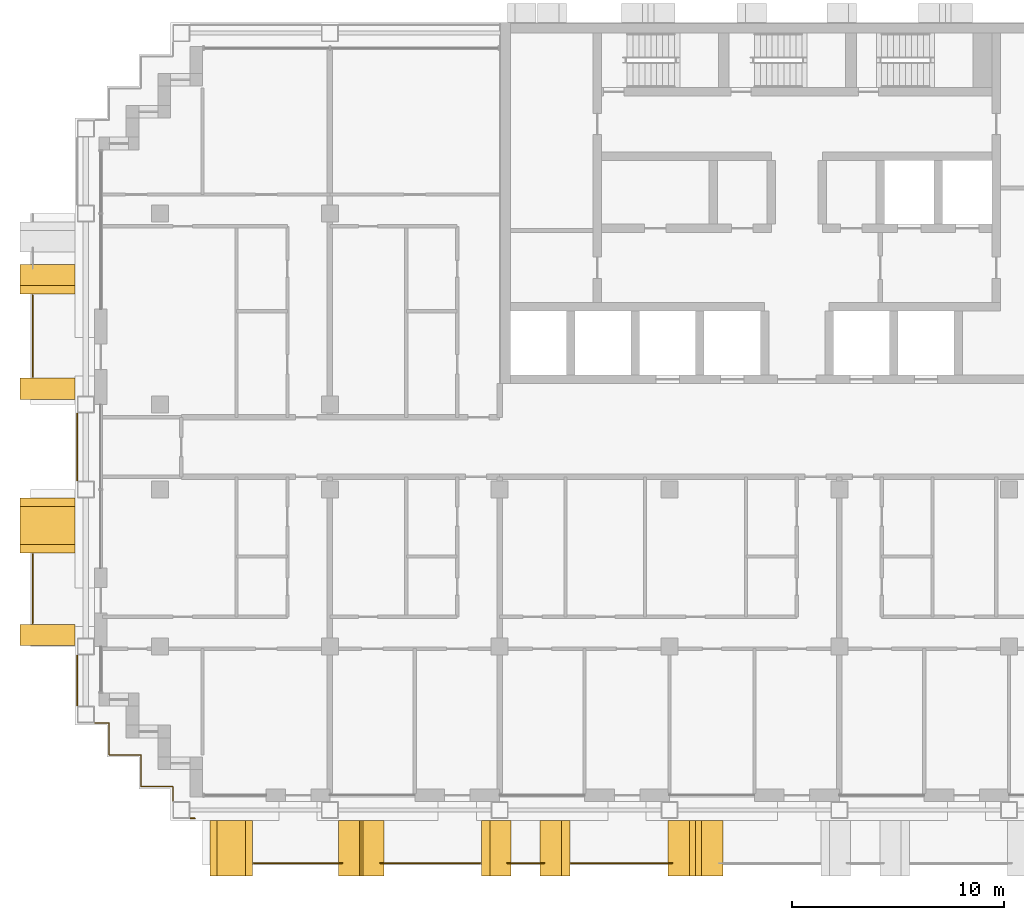
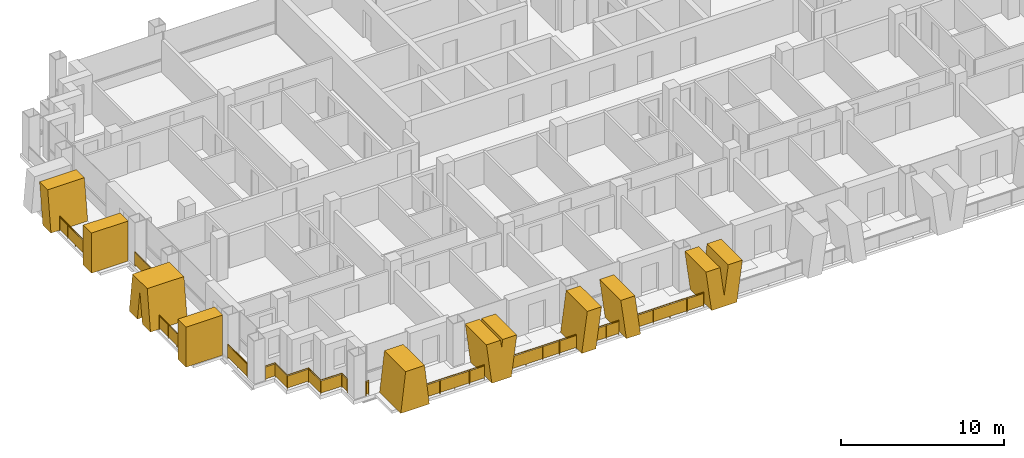
# One storey, part 14 of 18: 10 railings, 9 shading devices.
"""IFC4 building model written with IfcOpenShell, lengths in metres."""

from ifc_helpers import new_model, si_unit, direction, frame, origin, origin_2d, place, context, subcontext, project, spatial, polyline, rectangle, circle, outline, extrude, material, layer, layer_set, type_object, element, save


model = new_model("IFC4")

# Units and contexts
model_context = context("Model", 3, precision=1e-05, world=origin(), true_north=direction((0.0, 1.0)))
body_context = subcontext(model_context, "Body", "Model", "MODEL_VIEW")
ifc_project = project(units=[si_unit("LENGTHUNIT", "METRE"), si_unit("AREAUNIT", "SQUARE_METRE"), si_unit("VOLUMEUNIT", "CUBIC_METRE"), si_unit("PLANEANGLEUNIT", "RADIAN"), si_unit("MASSUNIT", "GRAM", prefix="KILO")], contexts=[model_context])

# Site, building, storey
site_placement = place(None, origin())
site = spatial("IfcSite", under=ifc_project, at=site_placement, CompositionType="ELEMENT")
building_placement = place(site_placement, origin())
building = spatial("IfcBuilding", under=site, at=building_placement, Name="Vidyagriha Tower", CompositionType="ELEMENT")
storey_placement = place(building_placement, frame((0.0, 0.0, 123.0)))
storey = spatial("IfcBuildingStorey", under=building, at=storey_placement, Name="L31", CompositionType="ELEMENT", Elevation=123.0)

# Railings
ifc_material_1 = material(Name="Steel ASTM A500 Grade C black painted", Category="steel")
railing_type_1 = type_object("IfcRailingType", Name="Balcony guard 1100", PredefinedType="BALUSTRADE", material=ifc_material_1)
railing_1_placement = place(storey_placement, frame((-36.0, 7.14990234375, 0.0)))
element("IfcRailing", 1, at=railing_1_placement, inside=storey, type_object=railing_type_1, Name="Balcony guard L31 R16.1-3", PredefinedType="BALUSTRADE", context=body_context, shape_type="SweptSolid", body=[
    extrude(circle(Radius=0.02490234375, at=origin_2d()), frame((0.0, 0.0, 1.0751953125), z_axis=(0.0, -1.0, 0.0), x_axis=(1.0, 0.0, 0.0)), (0.0, 0.0, 1.0), 3.849853515625),
    extrude(circle(Radius=0.02001953125, at=origin_2d()), origin(), (0.0, 0.0, 1.0), 1.050048828125),
    extrude(circle(Radius=0.02001953125, at=origin_2d()), frame((0.0, -0.96240234375, 0.0)), (0.0, 0.0, 1.0), 1.050048828125),
    extrude(circle(Radius=0.02001953125, at=origin_2d()), frame((0.0, -1.9248046875, 0.0)), (0.0, 0.0, 1.0), 1.050048828125),
    extrude(circle(Radius=0.02001953125, at=origin_2d()), frame((0.0, -2.887451171875, 0.0)), (0.0, 0.0, 1.0), 1.050048828125),
    extrude(circle(Radius=0.02001953125, at=origin_2d()), frame((0.0, -3.849853515625, 0.0)), (0.0, 0.0, 1.0), 1.050048828125),
    extrude(rectangle(XDim=0.010009765625, YDim=0.900146484375, at=origin_2d()), frame((0.0, 0.0, 0.550048828125), z_axis=(0.0, -1.0, 0.0), x_axis=(1.0, 0.0, 0.0)), (0.0, 0.0, 1.0), 3.849853515625),
])
railing_2_placement = place(storey_placement, frame((-36.0, -5.050048828125, 0.0)))
element("IfcRailing", 2, at=railing_2_placement, inside=storey, type_object=railing_type_1, Name="Balcony guard L31 R16.2-1", PredefinedType="BALUSTRADE", context=body_context, shape_type="SweptSolid", body=[
    extrude(circle(Radius=0.02490234375, at=origin_2d()), frame((0.0, 0.0, 1.0751953125), z_axis=(0.0, -1.0, 0.0), x_axis=(1.0, 0.0, 0.0)), (0.0, 0.0, 1.0), 3.25),
    extrude(circle(Radius=0.02001953125, at=origin_2d()), origin(), (0.0, 0.0, 1.0), 1.050048828125),
    extrude(circle(Radius=0.02001953125, at=origin_2d()), frame((0.0, -1.083251953125, 0.0)), (0.0, 0.0, 1.0), 1.050048828125),
    extrude(circle(Radius=0.02001953125, at=origin_2d()), frame((0.0, -2.166748046875, 0.0)), (0.0, 0.0, 1.0), 1.050048828125),
    extrude(circle(Radius=0.02001953125, at=origin_2d()), frame((0.0, -3.25, 0.0)), (0.0, 0.0, 1.0), 1.050048828125),
    extrude(rectangle(XDim=0.010009765625, YDim=0.900146484375, at=origin_2d()), frame((0.0, 0.0, 0.550048828125), z_axis=(0.0, -1.0, 0.0), x_axis=(1.0, 0.0, 0.0)), (0.0, 0.0, 1.0), 3.25),
])
railing_3_placement = place(storey_placement, frame((-25.590087890625, -19.60009765625, 0.0)))
element("IfcRailing", 3, at=railing_3_placement, inside=storey, type_object=railing_type_1, Name="Balcony guard L31 R23.1-1", PredefinedType="BALUSTRADE", context=body_context, shape_type="SweptSolid", body=[
    extrude(circle(Radius=0.02490234375, at=origin_2d()), frame((0.0, 0.0, 1.0751953125), z_axis=(1.0, 0.0, 0.0), x_axis=(0.0, 1.0, 0.0)), (0.0, 0.0, 1.0), 4.176513671875),
    extrude(circle(Radius=0.02001953125, at=origin_2d()), origin(), (0.0, 0.0, 1.0), 1.050048828125),
    extrude(circle(Radius=0.02001953125, at=origin_2d()), frame((1.044189453125, 0.0, 0.0)), (0.0, 0.0, 1.0), 1.050048828125),
    extrude(circle(Radius=0.02001953125, at=origin_2d()), frame((2.08837890625, 0.0, 0.0)), (0.0, 0.0, 1.0), 1.050048828125),
    extrude(circle(Radius=0.02001953125, at=origin_2d()), frame((3.13232421875, 0.0, 0.0)), (0.0, 0.0, 1.0), 1.050048828125),
    extrude(circle(Radius=0.02001953125, at=origin_2d()), frame((4.176513671875, 0.0, 0.0)), (0.0, 0.0, 1.0), 1.050048828125),
    extrude(rectangle(XDim=0.010009765625, YDim=0.900146484375, at=origin_2d()), frame((0.0, 0.0, 0.550048828125), z_axis=(1.0, 0.0, 0.0), x_axis=(0.0, 1.0, 0.0)), (0.0, 0.0, 1.0), 4.176513671875),
])
railing_4_placement = place(storey_placement, frame((-19.636474609375, -19.60009765625, 0.0)))
element("IfcRailing", 4, at=railing_4_placement, inside=storey, type_object=railing_type_1, Name="Balcony guard L31 R23.1-2", PredefinedType="BALUSTRADE", context=body_context, shape_type="SweptSolid", body=[
    extrude(circle(Radius=0.02490234375, at=origin_2d()), frame((0.0, 0.0, 1.0751953125), z_axis=(1.0, 0.0, 0.0), x_axis=(0.0, 1.0, 0.0)), (0.0, 0.0, 1.0), 4.7314453125),
    extrude(circle(Radius=0.02001953125, at=origin_2d()), origin(), (0.0, 0.0, 1.0), 1.050048828125),
    extrude(circle(Radius=0.02001953125, at=origin_2d()), frame((1.182861328125, 0.0, 0.0)), (0.0, 0.0, 1.0), 1.050048828125),
    extrude(circle(Radius=0.02001953125, at=origin_2d()), frame((2.36572265625, 0.0, 0.0)), (0.0, 0.0, 1.0), 1.050048828125),
    extrude(circle(Radius=0.02001953125, at=origin_2d()), frame((3.548583984375, 0.0, 0.0)), (0.0, 0.0, 1.0), 1.050048828125),
    extrude(circle(Radius=0.02001953125, at=origin_2d()), frame((4.7314453125, 0.0, 0.0)), (0.0, 0.0, 1.0), 1.050048828125),
    extrude(rectangle(XDim=0.010009765625, YDim=0.900146484375, at=origin_2d()), frame((0.0, 0.0, 0.550048828125), z_axis=(1.0, 0.0, 0.0), x_axis=(0.0, 1.0, 0.0)), (0.0, 0.0, 1.0), 4.7314453125),
])
railing_5_placement = place(storey_placement, frame((-13.653564453125, -19.60009765625, 0.0)))
element("IfcRailing", 5, at=railing_5_placement, inside=storey, type_object=railing_type_1, Name="Balcony guard L31 R23.1-3", PredefinedType="BALUSTRADE", context=body_context, shape_type="SweptSolid", body=[
    extrude(circle(Radius=0.02490234375, at=origin_2d()), frame((0.0, 0.0, 1.0751953125), z_axis=(1.0, 0.0, 0.0), x_axis=(0.0, 1.0, 0.0)), (0.0, 0.0, 1.0), 1.757080078125),
    extrude(circle(Radius=0.02001953125, at=origin_2d()), origin(), (0.0, 0.0, 1.0), 1.050048828125),
    extrude(circle(Radius=0.02001953125, at=origin_2d()), frame((0.87841796875, 0.0, 0.0)), (0.0, 0.0, 1.0), 1.050048828125),
    extrude(circle(Radius=0.02001953125, at=origin_2d()), frame((1.757080078125, 0.0, 0.0)), (0.0, 0.0, 1.0), 1.050048828125),
    extrude(rectangle(XDim=0.010009765625, YDim=0.900146484375, at=origin_2d()), frame((0.0, 0.0, 0.550048828125), z_axis=(1.0, 0.0, 0.0), x_axis=(0.0, 1.0, 0.0)), (0.0, 0.0, 1.0), 1.757080078125),
])
railing_6_placement = place(storey_placement, frame((-10.64501953125, -19.60009765625, 0.0)))
element("IfcRailing", 6, at=railing_6_placement, inside=storey, type_object=railing_type_1, Name="Balcony guard L31 R23.1-4", PredefinedType="BALUSTRADE", context=body_context, shape_type="SweptSolid", body=[
    extrude(circle(Radius=0.02490234375, at=origin_2d()), frame((0.0, 0.0, 1.0751953125), z_axis=(1.0, 0.0, 0.0), x_axis=(0.0, 1.0, 0.0)), (0.0, 0.0, 1.0), 4.773681640625),
    extrude(circle(Radius=0.02001953125, at=origin_2d()), origin(), (0.0, 0.0, 1.0), 1.050048828125),
    extrude(circle(Radius=0.02001953125, at=origin_2d()), frame((1.193359375, 0.0, 0.0)), (0.0, 0.0, 1.0), 1.050048828125),
    extrude(circle(Radius=0.02001953125, at=origin_2d()), frame((2.38671875, 0.0, 0.0)), (0.0, 0.0, 1.0), 1.050048828125),
    extrude(circle(Radius=0.02001953125, at=origin_2d()), frame((3.580322265625, 0.0, 0.0)), (0.0, 0.0, 1.0), 1.050048828125),
    extrude(circle(Radius=0.02001953125, at=origin_2d()), frame((4.773681640625, 0.0, 0.0)), (0.0, 0.0, 1.0), 1.050048828125),
    extrude(rectangle(XDim=0.010009765625, YDim=0.900146484375, at=origin_2d()), frame((0.0, 0.0, 0.550048828125), z_axis=(1.0, 0.0, 0.0), x_axis=(0.0, 1.0, 0.0)), (0.0, 0.0, 1.0), 4.773681640625),
])

# Shading devices
ifc_material_2 = material(Name="Precast concrete C40/50 with buff brick facing", Category="concrete")
ifc_layer_1 = layer(ifc_material_2, 1.0)
ifc_layer_set_1 = layer_set([ifc_layer_1], Name="Precast concrete C40/50 with buff brick facing")
shading_device_type_1 = type_object("IfcShadingDeviceType", Name="Brick-faced blade fin arm leaning 8 degrees", PredefinedType="USERDEFINED", material=ifc_layer_set_1)
shading_device_1_placement = place(storey_placement, frame((-35.300048828125, 8.60009765625, 0.0), z_axis=(0.0, 0.0, 1.0), x_axis=(0.0, -1.0, 0.0)))
element("IfcShadingDevice", 7, at=shading_device_1_placement, inside=storey, type_object=shading_device_type_1, Name="Leaning blade fin L31 R16.300b", ObjectType="BLADE FIN", PredefinedType="USERDEFINED", context=body_context, shape_type="SweptSolid", body=[
    extrude(outline(polyline([(0.39990234375, 0.0), (1.39990234375, 0.0), (1.0, 3.0), (0.0, 3.0), (0.39990234375, 0.0)])), frame((0.0, 1.300048828125, 0.0), z_axis=(0.0, -1.0, 0.0), x_axis=(1.0, 0.0, 0.0)), (0.0, 0.0, 1.0), 2.60009765625),
])
shading_device_2_placement = place(storey_placement, frame((-14.85498046875, -18.89990234375, 0.0)))
element("IfcShadingDevice", 8, at=shading_device_2_placement, inside=storey, type_object=shading_device_type_1, Name="Leaning blade fin L31 R23.1400a", ObjectType="BLADE FIN", PredefinedType="USERDEFINED", context=body_context, shape_type="SweptSolid", body=[
    extrude(outline(polyline([(0.0, 0.0), (1.0, 0.0), (1.39501953125, 3.0), (0.39501953125, 3.0), (0.0, 0.0)])), frame((0.0, 1.300048828125, 0.0), z_axis=(0.0, -1.0, 0.0), x_axis=(1.0, 0.0, 0.0)), (0.0, 0.0, 1.0), 2.60009765625),
])
shading_device_3_placement = place(storey_placement, frame((-12.090087890625, -18.89990234375, 0.0)))
element("IfcShadingDevice", 9, at=shading_device_3_placement, inside=storey, type_object=shading_device_type_1, Name="Leaning blade fin L31 R23.1400b", ObjectType="BLADE FIN", PredefinedType="USERDEFINED", context=body_context, shape_type="SweptSolid", body=[
    extrude(outline(polyline([(0.39501953125, 0.0), (1.39501953125, 0.0), (1.0, 3.0), (0.0, 3.0), (0.39501953125, 0.0)])), frame((0.0, 1.300048828125, 0.0), z_axis=(0.0, -1.0, 0.0), x_axis=(1.0, 0.0, 0.0)), (0.0, 0.0, 1.0), 2.60009765625),
])
ifc_material_3 = material(Name="Precast concrete C40/50 with buff brick facing", Category="concrete")
ifc_layer_2 = layer(ifc_material_3, 1.0)
ifc_layer_set_2 = layer_set([ifc_layer_2], Name="Precast concrete C40/50 with buff brick facing")
shading_device_type_2 = type_object("IfcShadingDeviceType", Name="Brick-faced blade fin forking 8 degrees", PredefinedType="USERDEFINED", material=ifc_layer_set_2)
shading_device_4_placement = place(storey_placement, frame((-35.300048828125, -2.39990234375, 0.0), z_axis=(0.0, 0.0, 1.0), x_axis=(0.0, -1.0, 0.0)))
element("IfcShadingDevice", 10, at=shading_device_4_placement, inside=storey, type_object=shading_device_type_2, Name="Forked blade fin L31 R16.1600a", ObjectType="BLADE FIN", PredefinedType="USERDEFINED", context=body_context, shape_type="SweptSolid", body=[
    extrude(outline(polyline([(1.0, 0.0), (1.300048828125, 2.25), (1.60009765625, 0.0), (2.60009765625, 0.0), (2.199951171875, 3.0), (0.39990234375, 3.0), (0.0, 0.0), (1.0, 0.0)])), frame((0.0, 1.300048828125, 0.0), z_axis=(0.0, -1.0, 0.0), x_axis=(1.0, 0.0, 0.0)), (0.0, 0.0, 1.0), 2.60009765625),
])
shading_device_5_placement = place(storey_placement, frame((-27.659912109375, -18.89990234375, 0.0)))
element("IfcShadingDevice", 11, at=shading_device_5_placement, inside=storey, type_object=shading_device_type_2, Name="Forked blade fin L31 R23.0a", ObjectType="BLADE FIN", PredefinedType="USERDEFINED", context=body_context, shape_type="SweptSolid", body=[
    extrude(outline(polyline([(1.0, 0.0), (1.010009765625, 0.088134765625), (1.02001953125, 0.0), (2.02001953125, 0.0), (1.679931640625, 3.0), (0.340087890625, 3.0), (0.0, 0.0), (1.0, 0.0)])), frame((0.0, 1.300048828125, 0.0), z_axis=(0.0, -1.0, 0.0), x_axis=(1.0, 0.0, 0.0)), (0.0, 0.0, 1.0), 2.60009765625),
])
shading_device_6_placement = place(storey_placement, frame((-21.60009765625, -18.89990234375, 0.0)))
element("IfcShadingDevice", 12, at=shading_device_6_placement, inside=storey, type_object=shading_device_type_2, Name="Forked blade fin L31 R23.600a", ObjectType="BLADE FIN", PredefinedType="USERDEFINED", context=body_context, shape_type="SweptSolid", body=[
    extrude(outline(polyline([(0.38330078125, 0.0), (1.7666015625, 0.0), (2.14990234375, 3.0), (1.14990234375, 3.0), (1.074951171875, 2.4130859375), (1.0, 3.0), (0.0, 3.0), (0.38330078125, 0.0)])), frame((0.0, 1.300048828125, 0.0), z_axis=(0.0, -1.0, 0.0), x_axis=(1.0, 0.0, 0.0)), (0.0, 0.0, 1.0), 2.60009765625),
])
shading_device_7_placement = place(storey_placement, frame((-6.06494140625, -18.89990234375, 0.0)))
element("IfcShadingDevice", 13, at=shading_device_7_placement, inside=storey, type_object=shading_device_type_2, Name="Forked blade fin L31 R23.2200a", ObjectType="BLADE FIN", PredefinedType="USERDEFINED", context=body_context, shape_type="SweptSolid", body=[
    extrude(outline(polyline([(0.39501953125, 0.0), (2.18505859375, 0.0), (2.580078125, 3.0), (1.580078125, 3.0), (1.2900390625, 0.797607421875), (1.0, 3.0), (0.0, 3.0), (0.39501953125, 0.0)])), frame((0.0, 1.300048828125, 0.0), z_axis=(0.0, -1.0, 0.0), x_axis=(1.0, 0.0, 0.0)), (0.0, 0.0, 1.0), 2.60009765625),
])
ifc_material_4 = material(Name="Precast concrete C40/50 with buff brick facing", Category="concrete")
ifc_layer_3 = layer(ifc_material_4, 1.0)
ifc_layer_set_3 = layer_set([ifc_layer_3], Name="Precast concrete C40/50 with buff brick facing")
shading_device_type_3 = type_object("IfcShadingDeviceType", Name="Brick-faced blade fin stem 1000", PredefinedType="USERDEFINED", material=ifc_layer_set_3)
for number, where, z_axis, x_axis, name in (
    (14, (-35.300048828125, 3.25, 0.0), (0.0, 0.0, 1.0), (0.0, -1.0, 0.0), "Stem blade fin L31 R16.1200a"),
    (15, (-35.300048828125, -8.35009765625, 0.0), (0.0, 0.0, 1.0), (0.0, -1.0, 0.0), "Stem blade fin L31 R16.2340a"),
):
    element("IfcShadingDevice", number, at=place(storey_placement, frame(where, z_axis=z_axis, x_axis=x_axis)), inside=storey, type_object=shading_device_type_3, Name=name, ObjectType="BLADE FIN", PredefinedType="USERDEFINED", context=body_context, shape_type="SweptSolid", body=[
        extrude(outline(polyline([(0.0, 0.0), (1.0, 0.0), (1.0, 3.0), (0.0, 3.0), (0.0, 0.0)])), frame((0.0, 1.300048828125, 0.0), z_axis=(0.0, -1.0, 0.0), x_axis=(1.0, 0.0, 0.0)), (0.0, 0.0, 1.0), 2.60009765625),
    ])

# Railings
ifc_material_5 = material(Name="Steel ASTM A500 Grade C black painted", Category="steel")
railing_type_2 = type_object("IfcRailingType", Name="Gallery guard 1100", PredefinedType="GUARDRAIL", material=ifc_material_5)
railing_7_placement = place(storey_placement, frame((-33.89990234375, -12.169921875, 0.0)))
element("IfcRailing", 16, at=railing_7_placement, inside=storey, type_object=railing_type_2, Name="Gallery guard L31 1", PredefinedType="GUARDRAIL", context=body_context, shape_type="SweptSolid", body=[
    extrude(circle(Radius=0.02490234375, at=origin_2d()), frame((0.0, 0.0, 1.0751953125), z_axis=(0.0, 1.0, 0.0), x_axis=(-1.0, 0.0, 0.0)), (0.0, 0.0, 1.0), 2.33984375),
    extrude(circle(Radius=0.02001953125, at=origin_2d()), origin(), (0.0, 0.0, 1.0), 1.050048828125),
    extrude(circle(Radius=0.02001953125, at=origin_2d()), frame((0.0, 1.169921875, 0.0)), (0.0, 0.0, 1.0), 1.050048828125),
    extrude(circle(Radius=0.02001953125, at=origin_2d()), frame((0.0, 2.33984375, 0.0)), (0.0, 0.0, 1.0), 1.050048828125),
    extrude(rectangle(XDim=0.010009765625, YDim=0.900146484375, at=origin_2d()), frame((0.0, 0.0, 0.550048828125), z_axis=(0.0, 1.0, 0.0), x_axis=(-1.0, 0.0, 0.0)), (0.0, 0.0, 1.0), 2.33984375),
])
railing_8_placement = place(storey_placement, frame((-33.89990234375, -1.570068359375, 0.0)))
element("IfcRailing", 17, at=railing_8_placement, inside=storey, type_object=railing_type_2, Name="Gallery guard L31 2", PredefinedType="GUARDRAIL", context=body_context, shape_type="SweptSolid", body=[
    extrude(circle(Radius=0.02490234375, at=origin_2d()), frame((0.0, 0.0, 1.0751953125), z_axis=(0.0, 1.0, 0.0), x_axis=(-1.0, 0.0, 0.0)), (0.0, 0.0, 1.0), 3.14013671875),
    extrude(circle(Radius=0.02001953125, at=origin_2d()), origin(), (0.0, 0.0, 1.0), 1.050048828125),
    extrude(circle(Radius=0.02001953125, at=origin_2d()), frame((0.0, 1.046630859375, 0.0)), (0.0, 0.0, 1.0), 1.050048828125),
    extrude(circle(Radius=0.02001953125, at=origin_2d()), frame((0.0, 2.093505859375, 0.0)), (0.0, 0.0, 1.0), 1.050048828125),
    extrude(circle(Radius=0.02001953125, at=origin_2d()), frame((0.0, 3.14013671875, 0.0)), (0.0, 0.0, 1.0), 1.050048828125),
    extrude(rectangle(XDim=0.010009765625, YDim=0.900146484375, at=origin_2d()), frame((0.0, 0.0, 0.550048828125), z_axis=(0.0, 1.0, 0.0), x_axis=(-1.0, 0.0, 0.0)), (0.0, 0.0, 1.0), 3.14013671875),
])
railing_9_placement = place(storey_placement, frame((-29.39990234375, -16.669921875, 0.0)))
element("IfcRailing", 18, at=railing_9_placement, inside=storey, type_object=railing_type_2, Name="Gallery guard L31 4", PredefinedType="GUARDRAIL", context=body_context, shape_type="SweptSolid", body=[
    extrude(circle(Radius=0.02490234375, at=origin_2d()), frame((0.0, 0.0, 1.0751953125), z_axis=(0.0, 1.0, 0.0), x_axis=(-1.0, 0.0, 0.0)), (0.0, 0.0, 1.0), 0.669921875),
    extrude(circle(Radius=0.02490234375, at=origin_2d()), frame((0.0, 0.669921875, 1.0751953125), z_axis=(-1.0, 0.0, 0.0), x_axis=(0.0, -1.0, 0.0)), (0.0, 0.0, 1.0), 1.5),
    extrude(circle(Radius=0.02490234375, at=origin_2d()), frame((-1.5, 0.669921875, 1.0751953125), z_axis=(0.0, 1.0, 0.0), x_axis=(-1.0, 0.0, 0.0)), (0.0, 0.0, 1.0), 1.5),
    extrude(circle(Radius=0.02490234375, at=origin_2d()), frame((-1.5, 2.169921875, 1.0751953125), z_axis=(-1.0, 0.0, 0.0), x_axis=(0.0, -1.0, 0.0)), (0.0, 0.0, 1.0), 1.5),
    extrude(circle(Radius=0.02490234375, at=origin_2d()), frame((-3.0, 2.169921875, 1.0751953125), z_axis=(0.0, 1.0, 0.0), x_axis=(-1.0, 0.0, 0.0)), (0.0, 0.0, 1.0), 1.5),
    extrude(circle(Radius=0.02490234375, at=origin_2d()), frame((-3.0, 3.669921875, 1.0751953125), z_axis=(-1.0, 0.0, 0.0), x_axis=(0.0, -1.0, 0.0)), (0.0, 0.0, 1.0), 0.670166015625),
    extrude(circle(Radius=0.02001953125, at=origin_2d()), origin(), (0.0, 0.0, 1.0), 1.050048828125),
    extrude(circle(Radius=0.02001953125, at=origin_2d()), frame((0.0, 0.669921875, 0.0)), (0.0, 0.0, 1.0), 1.050048828125),
    extrude(circle(Radius=0.02001953125, at=origin_2d()), frame((-1.5, 0.669921875, 0.0)), (0.0, 0.0, 1.0), 1.050048828125),
    extrude(circle(Radius=0.02001953125, at=origin_2d()), frame((-1.5, 2.169921875, 0.0)), (0.0, 0.0, 1.0), 1.050048828125),
    extrude(circle(Radius=0.02001953125, at=origin_2d()), frame((-3.0, 2.169921875, 0.0)), (0.0, 0.0, 1.0), 1.050048828125),
    extrude(circle(Radius=0.02001953125, at=origin_2d()), frame((-3.0, 3.669921875, 0.0)), (0.0, 0.0, 1.0), 1.050048828125),
    extrude(circle(Radius=0.02001953125, at=origin_2d()), frame((-3.670166015625, 3.669921875, 0.0)), (0.0, 0.0, 1.0), 1.050048828125),
    extrude(rectangle(XDim=0.010009765625, YDim=0.900146484375, at=origin_2d()), frame((0.0, 0.0, 0.550048828125), z_axis=(0.0, 1.0, 0.0), x_axis=(-1.0, 0.0, 0.0)), (0.0, 0.0, 1.0), 0.669921875),
    extrude(rectangle(XDim=0.010009765625, YDim=0.900146484375, at=origin_2d()), frame((0.0, 0.669921875, 0.550048828125), z_axis=(-1.0, 0.0, 0.0), x_axis=(0.0, -1.0, 0.0)), (0.0, 0.0, 1.0), 1.5),
    extrude(rectangle(XDim=0.010009765625, YDim=0.900146484375, at=origin_2d()), frame((-1.5, 0.669921875, 0.550048828125), z_axis=(0.0, 1.0, 0.0), x_axis=(-1.0, 0.0, 0.0)), (0.0, 0.0, 1.0), 1.5),
    extrude(rectangle(XDim=0.010009765625, YDim=0.900146484375, at=origin_2d()), frame((-1.5, 2.169921875, 0.550048828125), z_axis=(-1.0, 0.0, 0.0), x_axis=(0.0, -1.0, 0.0)), (0.0, 0.0, 1.0), 1.5),
    extrude(rectangle(XDim=0.010009765625, YDim=0.900146484375, at=origin_2d()), frame((-3.0, 2.169921875, 0.550048828125), z_axis=(0.0, 1.0, 0.0), x_axis=(-1.0, 0.0, 0.0)), (0.0, 0.0, 1.0), 1.5),
    extrude(rectangle(XDim=0.010009765625, YDim=0.900146484375, at=origin_2d()), frame((-3.0, 3.669921875, 0.550048828125), z_axis=(-1.0, 0.0, 0.0), x_axis=(0.0, -1.0, 0.0)), (0.0, 0.0, 1.0), 0.670166015625),
])
railing_10_placement = place(storey_placement, frame((-28.360107421875, -17.5, 0.0)))
element("IfcRailing", 19, at=railing_10_placement, inside=storey, type_object=railing_type_2, Name="Gallery guard L31 6", PredefinedType="GUARDRAIL", context=body_context, shape_type="SweptSolid", body=[
    extrude(circle(Radius=0.02490234375, at=origin_2d()), frame((0.0, 0.0, 1.0751953125), z_axis=(-1.0, 0.0, 0.0), x_axis=(0.0, -1.0, 0.0)), (0.0, 0.0, 1.0), 0.2099609375),
    extrude(circle(Radius=0.02001953125, at=origin_2d()), origin(), (0.0, 0.0, 1.0), 1.050048828125),
    extrude(circle(Radius=0.02001953125, at=origin_2d()), frame((-0.2099609375, 0.0, 0.0)), (0.0, 0.0, 1.0), 1.050048828125),
    extrude(rectangle(XDim=0.010009765625, YDim=0.900146484375, at=origin_2d()), frame((0.0, 0.0, 0.550048828125), z_axis=(-1.0, 0.0, 0.0), x_axis=(0.0, -1.0, 0.0)), (0.0, 0.0, 1.0), 0.2099609375),
])

save(model, "model.ifc")
